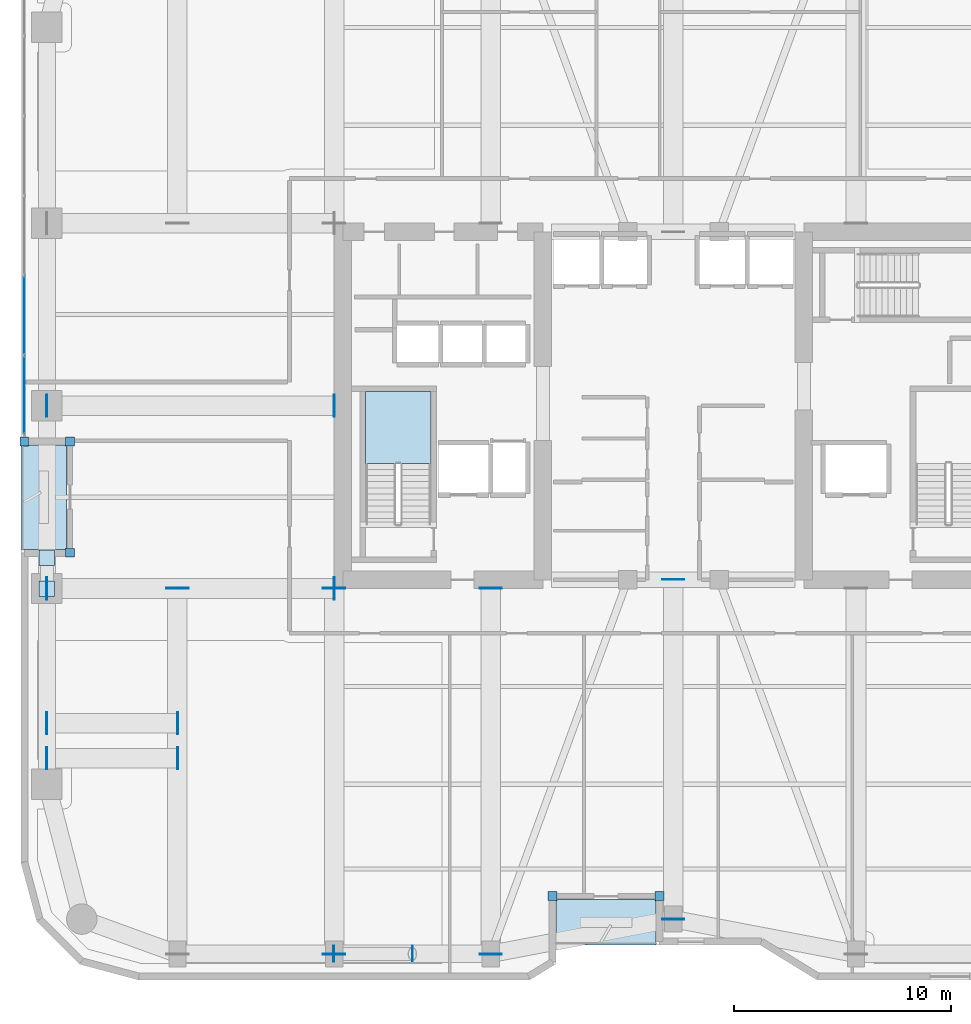
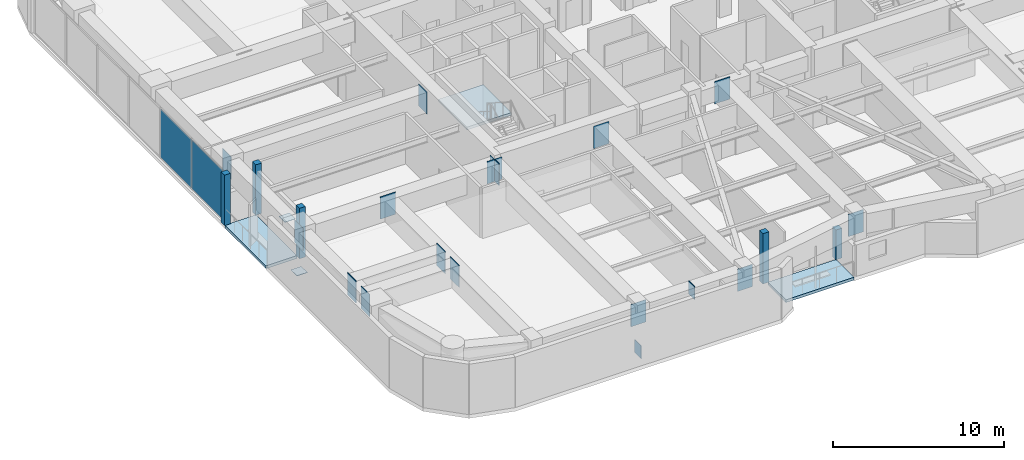
# One storey, part 16 of 25: 26 plates, 3 slabs, 2 elements without a shape of their own.
"""IFC4 building model written with IfcOpenShell, lengths in metres."""

from ifc_helpers import new_model, si_unit, direction, frame, origin, origin_2d, place, context, subcontext, project, spatial, polyline, rectangle, outline, extrude, material, layer, layer_set, type_object, element, aggregate, save


model = new_model("IFC4")

# Units and contexts
model_context = context("Model", 3, precision=1e-05, world=origin(), true_north=direction((0.0, 1.0)))
body_context = subcontext(model_context, "Body", "Model", "MODEL_VIEW")
ifc_project = project(units=[si_unit("LENGTHUNIT", "METRE"), si_unit("AREAUNIT", "SQUARE_METRE"), si_unit("VOLUMEUNIT", "CUBIC_METRE"), si_unit("PLANEANGLEUNIT", "RADIAN"), si_unit("MASSUNIT", "GRAM", prefix="KILO")], contexts=[model_context])

# Site, building, storey
site_placement = place(None, origin())
site = spatial("IfcSite", under=ifc_project, at=site_placement, CompositionType="ELEMENT")
building_placement = place(site_placement, origin())
building = spatial("IfcBuilding", under=site, at=building_placement, Name="Kiyonajd Concourse Tower", CompositionType="ELEMENT")
storey_placement = place(building_placement, frame((0.0, 0.0, 141.60009765625)))
storey = spatial("IfcBuildingStorey", under=building, at=storey_placement, Name="L36", CompositionType="ELEMENT", Elevation=141.60009765625)

# Plates
ifc_material_1 = material(Name="Steel ASTM A572 Grade 50", Category="steel")
ifc_layer_1 = layer(ifc_material_1, 0.028076171875)
ifc_layer_set_1 = layer_set([ifc_layer_1], Name="Steel ASTM A572 Grade 50")
plate_type_1 = type_object("IfcPlateType", Name="PL-CAP-450", PredefinedType="USERDEFINED", material=ifc_layer_set_1)
for number, where, z_axis, x_axis, name in (
    (1, (32.3916015625, 10.800048828125, -0.17138671875), (0.0, 0.0, 1.0), (-1.0, 0.0, 0.0), "L36 Hollow Brace End Cap Plate PBS"),
    (2, (36.008544921875, 10.800048828125, 2.79248046875), (0.0, 0.0, 1.0), (1.0, 0.0, 0.0), "L36 Hollow Brace Top Cap Plate PBS"),
):
    element("IfcPlate", number, at=place(storey_placement, frame(where, z_axis=z_axis, x_axis=x_axis)), inside=storey, type_object=plate_type_1, Name=name, ObjectType="CAP PLATE", PredefinedType="USERDEFINED", context=body_context, shape_type="SweptSolid", body=[
        extrude(rectangle(XDim=0.035888671875, YDim=0.72998046875, at=origin_2d()), origin(), (0.0, 0.0, 1.0), 0.928955078125),
    ])
for number, where, z_axis, x_axis, name in (
    (3, (19.199951171875, 27.59521484375, 0.27587890625), (0.0, 0.0, 1.0), (1.0, 0.0, 0.0), "L36 Hollow Brace End Cap Plate PBW"),
    (4, (19.199951171875, 29.004638671875, 3.24560546875), (0.0, 0.0, 1.0), (1.0, 0.0, 0.0), "L36 Hollow Brace Top Cap Plate PBW"),
):
    element("IfcPlate", number, at=place(storey_placement, frame(where, z_axis=z_axis, x_axis=x_axis)), inside=storey, type_object=plate_type_1, Name=name, ObjectType="CAP PLATE", PredefinedType="USERDEFINED", context=body_context, shape_type="SweptSolid", body=[
        extrude(rectangle(XDim=0.7099609375, YDim=0.7099609375, at=origin_2d()), origin(), (0.0, 0.0, 1.0), 0.028076171875),
    ])
ifc_layer_2 = layer(ifc_material_1, 0.031982421875)
ifc_layer_set_2 = layer_set([ifc_layer_2], Name="Steel ASTM A572 Grade 50")
plate_type_2 = type_object("IfcPlateType", Name="PL-CAP-540", PredefinedType="USERDEFINED", material=ifc_layer_set_2)
for number, where, z_axis, x_axis, name in (
    (5, (19.18896484375, 21.39990234375, 2.080078125), (0.0, 0.0, 1.0), (-1.0, 0.0, 0.0), "L36 Transfer Box Cap Plate"),
    (6, (25.2109375, 21.39990234375, 2.080078125), (0.0, 0.0, 1.0), (1.0, 0.0, 0.0), "L36 Transfer Box Cap Plate"),
    (7, (19.18896484375, 19.800048828125, 2.080078125), (0.0, 0.0, 1.0), (-1.0, 0.0, 0.0), "L36 Welded Box Girder End Cap"),
    (8, (25.2109375, 19.800048828125, 2.080078125), (0.0, 0.0, 1.0), (1.0, 0.0, 0.0), "L36 Welded Box Girder End Cap"),
    (9, (25.199951171875, 27.611083984375, 2.080078125), (0.0, 0.0, 1.0), (0.0, 1.0, 0.0), "L36 Welded Box Girder End Cap"),
    (10, (32.39990234375, 10.7890625, 2.080078125), (0.0, 0.0, 1.0), (0.0, -1.0, 0.0), "L36 Welded Box Girder End Cap"),
    (11, (32.39990234375, 27.611083984375, 2.080078125), (0.0, 0.0, 1.0), (0.0, 1.0, 0.0), "L36 Welded Box Girder End Cap"),
    (12, (39.60009765625, 10.7890625, 2.080078125), (0.0, 0.0, 1.0), (0.0, -1.0, 0.0), "L36 Welded Box Girder End Cap"),
    (13, (39.60009765625, 27.611083984375, 2.080078125), (0.0, 0.0, 1.0), (0.0, 1.0, 0.0), "L36 Welded Box Girder End Cap"),
    (14, (48.0, 12.388916015625, 2.080078125), (0.0, 0.0, 1.0), (0.0, -1.0, 0.0), "L36 Welded Box Girder End Cap"),
    (15, (48.0, 28.010986328125, 2.080078125), (0.0, 0.0, 1.0), (0.0, 1.0, 0.0), "L36 Welded Box Girder End Cap"),
    (16, (19.18896484375, 27.60009765625, 2.080078125), (0.0, 0.0, 1.0), (-1.0, 0.0, 0.0), "L36 Welded Box Girder End Cap"),
    (17, (32.410888671875, 27.60009765625, 2.080078125), (0.0, 0.0, 1.0), (1.0, 0.0, 0.0), "L36 Welded Box Girder End Cap"),
    (18, (19.18896484375, 36.0, 2.080078125), (0.0, 0.0, 1.0), (-1.0, 0.0, 0.0), "L36 Welded Box Girder End Cap"),
    (19, (32.410888671875, 36.0, 2.080078125), (0.0, 0.0, 1.0), (1.0, 0.0, 0.0), "L36 Welded Box Girder End Cap"),
):
    element("IfcPlate", number, at=place(storey_placement, frame(where, z_axis=z_axis, x_axis=x_axis)), inside=storey, type_object=plate_type_2, Name=name, ObjectType="CAP PLATE", PredefinedType="USERDEFINED", context=body_context, shape_type="SweptSolid", body=[
        extrude(rectangle(XDim=0.035888671875, YDim=1.02001953125, at=origin_2d()), origin(), (0.0, 0.0, 1.0), 1.590087890625),
    ])

# Curtain wall, plates
ifc_material_2 = material(Name="Thermally Broken Anodised Aluminium", Category="aluminium")
ifc_layer_3 = layer(ifc_material_2, 0.179931640625)
ifc_layer_set_3 = layer_set([ifc_layer_3], Name="Thermally Broken Anodised Aluminium")
curtain_wall_type = type_object("IfcCurtainWallType", Name="CW-SYS-03", PredefinedType="NOTDEFINED", material=ifc_layer_set_3)
curtain_wall_placement = place(storey_placement, origin())
curtain_wall = element("IfcCurtainWall", 20, at=curtain_wall_placement, inside=storey, type_object=curtain_wall_type, Name="L36 Unitised Curtain Wall CW3", PredefinedType="NOTDEFINED")
ifc_material_3 = material(Name="Double Low-E Insulated Glass", Category="glass")
ifc_layer_4 = layer(ifc_material_3, 0.033935546875)
ifc_layer_set_4 = layer_set([ifc_layer_4], Name="Double Low-E Insulated Glass")
plate_type_3 = type_object("IfcPlateType", Name="PL-CW-VIS34", PredefinedType="CURTAIN_PANEL", material=ifc_layer_set_4)
plate_1_placement = place(storey_placement, frame((18.159912109375, 36.5029296875, 0.06494140625), z_axis=(0.0, 0.0, 1.0), x_axis=(0.0, 1.0, 0.0)))
plate_1 = element("IfcPlate", 21, at=plate_1_placement, type_object=plate_type_3, Name="CW3 panel 1.1", PredefinedType="CURTAIN_PANEL", context=body_context, shape_type="SweptSolid", body=[
    extrude(rectangle(XDim=3.57568359375, YDim=0.033935546875, at=origin_2d()), origin(), (0.0, 0.0, 1.0), 3.469970703125),
])
plate_2_placement = place(storey_placement, frame((18.159912109375, 40.15966796875, 0.06494140625), z_axis=(0.0, 0.0, 1.0), x_axis=(0.0, 1.0, 0.0)))
plate_2 = element("IfcPlate", 22, at=plate_2_placement, type_object=plate_type_3, Name="CW3 panel 2.1", PredefinedType="CURTAIN_PANEL", context=body_context, shape_type="SweptSolid", body=[
    extrude(rectangle(XDim=3.608154296875, YDim=0.033935546875, at=origin_2d()), origin(), (0.0, 0.0, 1.0), 3.469970703125),
])
aggregate(curtain_wall, [plate_1, plate_2])

# Plates
ifc_layer_5 = layer(ifc_material_2, 0.39990234375)
ifc_layer_set_5 = layer_set([ifc_layer_5], Name="Thermally Broken Anodised Aluminium")
plate_type_4 = type_object("IfcPlateType", Name="PL-JMB-400", PredefinedType="USERDEFINED", material=ifc_layer_set_5)
for number, where, z_axis, x_axis, name in (
    (23, (20.260009765625, 29.239990234375, -0.000244140625), (0.0, 0.0, 1.0), (1.0, 0.0, 0.0), "L36 Facade Jamb Closure Plate 01"),
    (24, (20.260009765625, 34.360107421875, -0.000244140625), (0.0, 0.0, 1.0), (1.0, 0.0, 0.0), "L36 Facade Jamb Closure Plate 02"),
    (25, (18.159912109375, 34.360107421875, -0.000244140625), (0.0, 0.0, 1.0), (1.0, 0.0, 0.0), "L36 Facade Jamb Closure Plate 03"),
):
    element("IfcPlate", number, at=place(storey_placement, frame(where, z_axis=z_axis, x_axis=x_axis)), inside=storey, type_object=plate_type_4, Name=name, ObjectType="JAMB PLATE", PredefinedType="USERDEFINED", context=body_context, shape_type="SweptSolid", body=[
        extrude(rectangle(XDim=0.39990234375, YDim=0.39990234375, at=origin_2d()), origin(), (0.0, 0.0, 1.0), 3.60009765625),
    ])
plate_3_placement = place(storey_placement, frame((47.360107421875, 13.4599609375, 0.0), z_axis=(0.0, 0.0, 1.0), x_axis=(1.0, 0.0, 0.0)))
element("IfcPlate", 26, at=plate_3_placement, inside=storey, type_object=plate_type_4, Name="L36 Facade Jamb Closure Plate 13", ObjectType="JAMB PLATE", PredefinedType="USERDEFINED", context=body_context, shape_type="SweptSolid", body=[
    extrude(rectangle(XDim=0.39990234375, YDim=0.39990234375, at=origin_2d()), origin(), (0.0, 0.0, 1.0), 2.135009765625),
])
plate_4_placement = place(storey_placement, frame((42.43994140625, 13.4599609375, -0.000244140625), z_axis=(0.0, 0.0, 1.0), x_axis=(1.0, 0.0, 0.0)))
element("IfcPlate", 27, at=plate_4_placement, inside=storey, type_object=plate_type_4, Name="L36 Facade Jamb Closure Plate 14", ObjectType="JAMB PLATE", PredefinedType="USERDEFINED", context=body_context, shape_type="SweptSolid", body=[
    extrude(rectangle(XDim=0.39990234375, YDim=0.39990234375, at=origin_2d()), origin(), (0.0, 0.0, 1.0), 3.60009765625),
])

# Stair, slab
ifc_material_4 = material(Name="Concrete C40/50", Category="concrete")
stair_type = type_object("IfcStairType", Name="ST-DLG-22R", PredefinedType="HALF_TURN_STAIR", material=ifc_material_4)
stair_placement = place(storey_placement, origin())
stair = element("IfcStair", 28, at=stair_placement, inside=storey, type_object=stair_type, Name="L36 Protected Exit Stair ST1", PredefinedType="HALF_TURN_STAIR")
ifc_layer_6 = layer(ifc_material_4, 0.199951171875)
ifc_layer_set_6 = layer_set([ifc_layer_6], Name="Concrete C40/50")
slab_type_1 = type_object("IfcSlabType", Name="SL-LND-200", PredefinedType="LANDING", material=ifc_layer_set_6)
slab_1_placement = place(storey_placement, frame((0.0, 0.0, 1.75)))
slab_1 = element("IfcSlab", 29, at=slab_1_placement, type_object=slab_type_1, Name="ST1 landing 1", PredefinedType="LANDING", context=body_context, shape_type="SweptSolid", body=[
    extrude(outline(polyline([(36.85009765625, 33.35009765625), (36.85009765625, 36.64990234375), (33.85009765625, 36.64990234375), (33.85009765625, 33.35009765625), (36.85009765625, 33.35009765625)])), origin(), (0.0, 0.0, 1.0), 0.199951171875),
])
aggregate(stair, [slab_1])

# Slabs
ifc_material_5 = material(Name="Precast concrete C50/60", Category="concrete")
ifc_layer_7 = layer(ifc_material_5, 0.199951171875)
ifc_layer_set_7 = layer_set([ifc_layer_7], Name="Precast concrete C50/60")
slab_type_2 = type_object("IfcSlabType", Name="SL-LOG-200", PredefinedType="FLOOR", material=ifc_layer_set_7)
slab_2_placement = place(storey_placement, frame((0.0, 0.0, -0.2001953125)))
element("IfcSlab", 30, at=slab_2_placement, inside=storey, type_object=slab_type_2, Name="L36 Recessed Engawa Loggia Terrace Slab LOG-S", PredefinedType="FLOOR", context=body_context, shape_type="SweptSolid", body=[
    extrude(outline(polyline([(42.60009765625, 11.199951171875), (47.199951171875, 11.199951171875), (47.199951171875, 13.300048828125), (42.60009765625, 13.300048828125), (42.60009765625, 11.199951171875)])), origin(), (0.0, 0.0, 1.0), 0.2001953125),
])
slab_3_placement = place(storey_placement, frame((0.0, 0.0, -0.2001953125)))
element("IfcSlab", 31, at=slab_3_placement, inside=storey, type_object=slab_type_2, Name="L36 Recessed Engawa Loggia Terrace Slab LOG-W", PredefinedType="FLOOR", context=body_context, shape_type="SweptSolid", body=[
    extrude(outline(polyline([(18.0, 29.39990234375), (20.10009765625, 29.39990234375), (20.10009765625, 34.199951171875), (18.0, 34.199951171875), (18.0, 29.39990234375)])), origin(), (0.0, 0.0, 1.0), 0.2001953125),
])

save(model, "model.ifc")
